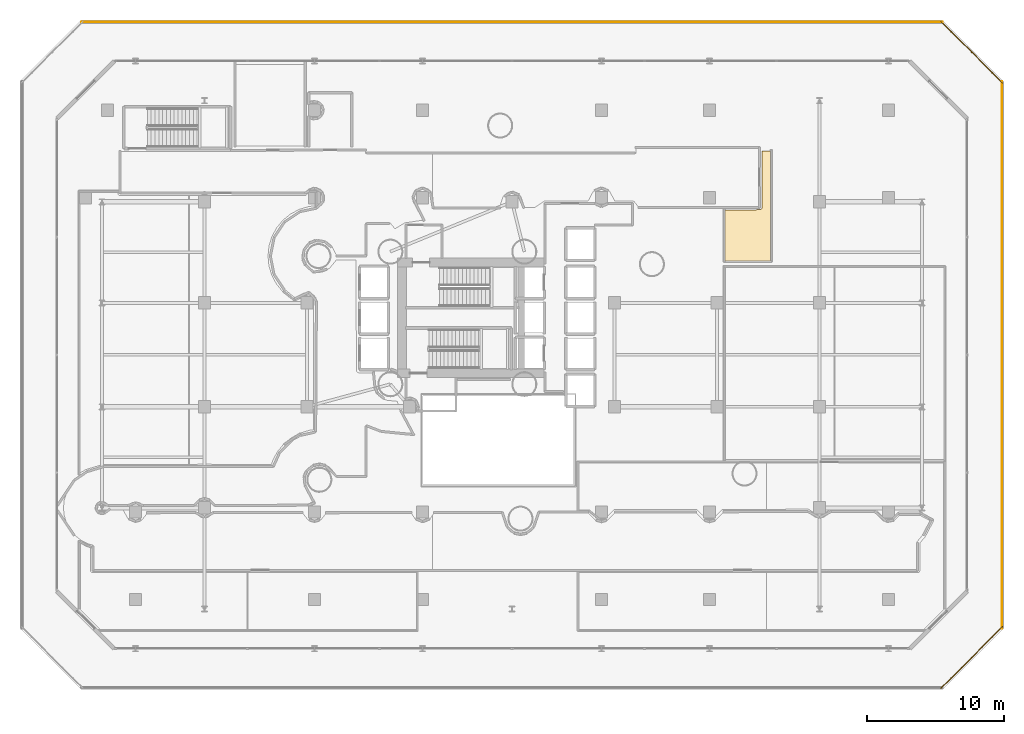
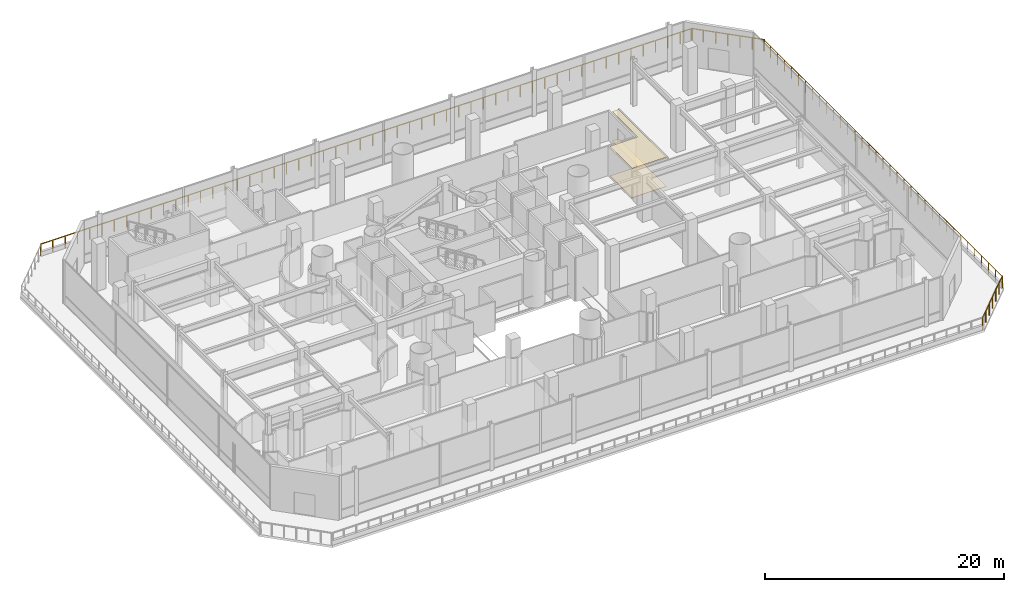
# One storey, part 39 of 39: 4 railings, 2 coverings.
"""IFC4 building model written with IfcOpenShell, lengths in metres."""

from ifc_helpers import new_model, si_unit, direction, frame, origin, origin_2d, place, context, subcontext, project, spatial, polyline, rectangle, outline, extrude, material, layer, layer_set, type_object, element, save


model = new_model("IFC4")

# Units and contexts
model_context = context("Model", 3, precision=1e-05, world=origin(), true_north=direction((0.0, 1.0)))
body_context = subcontext(model_context, "Body", "Model", "MODEL_VIEW")
ifc_project = project(units=[si_unit("LENGTHUNIT", "METRE"), si_unit("AREAUNIT", "SQUARE_METRE"), si_unit("VOLUMEUNIT", "CUBIC_METRE"), si_unit("PLANEANGLEUNIT", "RADIAN"), si_unit("MASSUNIT", "GRAM", prefix="KILO")], contexts=[model_context])

# Site, building, storey
site_placement = place(None, origin())
site = spatial("IfcSite", under=ifc_project, at=site_placement, CompositionType="ELEMENT")
building_placement = place(site_placement, origin())
building = spatial("IfcBuilding", under=site, at=building_placement, Name="Qianvela Tower", CompositionType="ELEMENT")
storey_placement = place(building_placement, frame((0.0, 0.0, 15.800048828125)))
storey = spatial("IfcBuildingStorey", under=building, at=storey_placement, Name="L03", CompositionType="ELEMENT", Elevation=15.800048828125)

# Coverings
ifc_material_1 = material(Name="Perforated Mineral Acoustic Ceiling Tile")
ifc_layer_1 = layer(ifc_material_1, 0.02490234375)
ifc_layer_set_1 = layer_set([ifc_layer_1], Name="Perforated Mineral Acoustic Ceiling Tile")
covering_type_1 = type_object("IfcCoveringType", Name="COV-CEIL-ACOUSTIC-25", PredefinedType="CEILING", material=ifc_layer_set_1)
covering_1_placement = place(storey_placement, frame((0.0, 0.0, 2.994873046875)))
element("IfcCovering", 1, at=covering_1_placement, inside=storey, type_object=covering_type_1, Name="L03 Acoustic Ceiling L03 Graduate Seminar Classroom", PredefinedType="CEILING", context=body_context, shape_type="SweptSolid", body=[
    extrude(outline(polyline([(56.419921875, 32.8798828125), (53.080078125, 32.8798828125), (53.080078125, 36.610107421875), (55.650390625, 36.616455078125), (55.65869140625, 36.616943359375), (55.667236328125, 36.6181640625), (55.67529296875, 36.62060546875), (55.683349609375, 36.62353515625), (55.69091796875, 36.62744140625), (55.697998046875, 36.632080078125), (55.757080078125, 36.67626953125), (55.763427734375, 36.681396484375), (55.769287109375, 36.6875), (55.7744140625, 36.69384765625), (55.77880859375, 36.70068359375), (55.78271484375, 36.708251953125), (55.785400390625, 36.716064453125), (55.78759765625, 36.723876953125), (55.788818359375, 36.732177734375), (55.789306640625, 36.740478515625), (55.7919921875, 40.919921875), (56.419921875, 40.919921875), (56.419921875, 32.8798828125)])), origin(), (0.0, 0.0, 1.0), 0.025146484375),
])
ifc_material_2 = material(Name="Engineered Acoustic Oak Timber Flooring", Category="wood")
ifc_layer_2 = layer(ifc_material_2, 0.02001953125)
ifc_layer_set_2 = layer_set([ifc_layer_2], Name="Engineered Acoustic Oak Timber Flooring")
covering_type_2 = type_object("IfcCoveringType", Name="COV-FLOOR-OAK-20", PredefinedType="FLOORING", material=ifc_layer_set_2)
covering_2_placement = place(storey_placement, origin())
element("IfcCovering", 2, at=covering_2_placement, inside=storey, type_object=covering_type_2, Name="L03 Finish Flooring L03 Graduate Seminar Classroom", PredefinedType="FLOORING", context=body_context, shape_type="SweptSolid", body=[
    extrude(outline(polyline([(56.419921875, 32.8798828125), (53.080078125, 32.8798828125), (53.080078125, 36.610107421875), (55.650390625, 36.616455078125), (55.65869140625, 36.616943359375), (55.667236328125, 36.6181640625), (55.67529296875, 36.62060546875), (55.683349609375, 36.62353515625), (55.69091796875, 36.62744140625), (55.697998046875, 36.632080078125), (55.757080078125, 36.67626953125), (55.763427734375, 36.681396484375), (55.769287109375, 36.6875), (55.7744140625, 36.69384765625), (55.77880859375, 36.70068359375), (55.78271484375, 36.708251953125), (55.785400390625, 36.716064453125), (55.78759765625, 36.723876953125), (55.788818359375, 36.732177734375), (55.789306640625, 36.740478515625), (55.7919921875, 40.919921875), (56.419921875, 40.919921875), (56.419921875, 32.8798828125)])), origin(), (0.0, 0.0, 1.0), 0.02001953125),
])

# Railings
ifc_material_3 = material(Name="Brushed Stainless Steel 316 and Laminated Glass", Category="steel")
railing_type = type_object("IfcRailingType", Name="RL-EXT-GUARD-1200", PredefinedType="GUARDRAIL", material=ifc_material_3)
railing_1_placement = place(storey_placement, frame((68.893798828125, 1.606201171875, 0.0)))
element("IfcRailing", 3, at=railing_1_placement, inside=storey, type_object=railing_type, Name="L03 Podium Terrace Guardrail 2", PredefinedType="GUARDRAIL", context=body_context, shape_type="SweptSolid", body=[
    extrude(rectangle(XDim=0.050048828125, YDim=0.0400390625, at=origin_2d()), frame((0.0, 0.0, 1.179931640625), z_axis=(0.707106781187, 0.707106781187, 0.0), x_axis=(-0.707106781187, 0.707106781187, 0.0)), (0.0, 0.0, 1.0), 6.364013671875),
    extrude(rectangle(XDim=0.050048828125, YDim=0.050048828125, at=origin_2d()), origin(), (0.0, 0.0, 1.0), 1.159912109375),
    extrude(rectangle(XDim=0.050048828125, YDim=0.050048828125, at=origin_2d()), frame((0.75, 0.75, 0.0)), (0.0, 0.0, 1.0), 1.159912109375),
    extrude(rectangle(XDim=0.050048828125, YDim=0.050048828125, at=origin_2d()), frame((1.5, 1.5, 0.0)), (0.0, 0.0, 1.0), 1.159912109375),
    extrude(rectangle(XDim=0.050048828125, YDim=0.050048828125, at=origin_2d()), frame((2.25, 2.25, 0.0)), (0.0, 0.0, 1.0), 1.159912109375),
    extrude(rectangle(XDim=0.050048828125, YDim=0.050048828125, at=origin_2d()), frame((3.0, 3.0, 0.0)), (0.0, 0.0, 1.0), 1.159912109375),
    extrude(rectangle(XDim=0.050048828125, YDim=0.050048828125, at=origin_2d()), frame((3.75, 3.75, 0.0)), (0.0, 0.0, 1.0), 1.159912109375),
    extrude(rectangle(XDim=0.050048828125, YDim=0.050048828125, at=origin_2d()), frame((4.5, 4.5, 0.0)), (0.0, 0.0, 1.0), 1.159912109375),
])
railing_2_placement = place(storey_placement, frame((73.35009765625, 6.0, 0.0)))
element("IfcRailing", 4, at=railing_2_placement, inside=storey, type_object=railing_type, Name="L03 Podium Terrace Guardrail 3", PredefinedType="GUARDRAIL", context=body_context, shape_type="SweptSolid", body=[
    extrude(rectangle(XDim=0.050048828125, YDim=0.0400390625, at=origin_2d()), frame((0.0, 0.0, 1.179931640625), z_axis=(0.0, 1.0, 0.0), x_axis=(-1.0, 0.0, 0.0)), (0.0, 0.0, 1.0), 40.0),
    extrude(rectangle(XDim=0.050048828125, YDim=0.050048828125, at=origin_2d()), origin(), (0.0, 0.0, 1.0), 1.159912109375),
    extrude(rectangle(XDim=0.050048828125, YDim=0.050048828125, at=origin_2d()), frame((0.0, 1.176513671875, 0.0)), (0.0, 0.0, 1.0), 1.159912109375),
    extrude(rectangle(XDim=0.050048828125, YDim=0.050048828125, at=origin_2d()), frame((0.0, 2.35302734375, 0.0)), (0.0, 0.0, 1.0), 1.159912109375),
    extrude(rectangle(XDim=0.050048828125, YDim=0.050048828125, at=origin_2d()), frame((0.0, 3.529296875, 0.0)), (0.0, 0.0, 1.0), 1.159912109375),
    extrude(rectangle(XDim=0.050048828125, YDim=0.050048828125, at=origin_2d()), frame((0.0, 4.705810546875, 0.0)), (0.0, 0.0, 1.0), 1.159912109375),
    extrude(rectangle(XDim=0.050048828125, YDim=0.050048828125, at=origin_2d()), frame((0.0, 5.88232421875, 0.0)), (0.0, 0.0, 1.0), 1.159912109375),
    extrude(rectangle(XDim=0.050048828125, YDim=0.050048828125, at=origin_2d()), frame((0.0, 7.058837890625, 0.0)), (0.0, 0.0, 1.0), 1.159912109375),
    extrude(rectangle(XDim=0.050048828125, YDim=0.050048828125, at=origin_2d()), frame((0.0, 8.2353515625, 0.0)), (0.0, 0.0, 1.0), 1.159912109375),
    extrude(rectangle(XDim=0.050048828125, YDim=0.050048828125, at=origin_2d()), frame((0.0, 9.411865234375, 0.0)), (0.0, 0.0, 1.0), 1.159912109375),
    extrude(rectangle(XDim=0.050048828125, YDim=0.050048828125, at=origin_2d()), frame((0.0, 10.588134765625, 0.0)), (0.0, 0.0, 1.0), 1.159912109375),
    extrude(rectangle(XDim=0.050048828125, YDim=0.050048828125, at=origin_2d()), frame((0.0, 11.7646484375, 0.0)), (0.0, 0.0, 1.0), 1.159912109375),
    extrude(rectangle(XDim=0.050048828125, YDim=0.050048828125, at=origin_2d()), frame((0.0, 12.941162109375, 0.0)), (0.0, 0.0, 1.0), 1.159912109375),
    extrude(rectangle(XDim=0.050048828125, YDim=0.050048828125, at=origin_2d()), frame((0.0, 14.11767578125, 0.0)), (0.0, 0.0, 1.0), 1.159912109375),
    extrude(rectangle(XDim=0.050048828125, YDim=0.050048828125, at=origin_2d()), frame((0.0, 15.294189453125, 0.0)), (0.0, 0.0, 1.0), 1.159912109375),
    extrude(rectangle(XDim=0.050048828125, YDim=0.050048828125, at=origin_2d()), frame((0.0, 16.470703125, 0.0)), (0.0, 0.0, 1.0), 1.159912109375),
    extrude(rectangle(XDim=0.050048828125, YDim=0.050048828125, at=origin_2d()), frame((0.0, 17.64697265625, 0.0)), (0.0, 0.0, 1.0), 1.159912109375),
    extrude(rectangle(XDim=0.050048828125, YDim=0.050048828125, at=origin_2d()), frame((0.0, 18.823486328125, 0.0)), (0.0, 0.0, 1.0), 1.159912109375),
    extrude(rectangle(XDim=0.050048828125, YDim=0.050048828125, at=origin_2d()), frame((0.0, 20.0, 0.0)), (0.0, 0.0, 1.0), 1.159912109375),
    extrude(rectangle(XDim=0.050048828125, YDim=0.050048828125, at=origin_2d()), frame((0.0, 21.176513671875, 0.0)), (0.0, 0.0, 1.0), 1.159912109375),
    extrude(rectangle(XDim=0.050048828125, YDim=0.050048828125, at=origin_2d()), frame((0.0, 22.35302734375, 0.0)), (0.0, 0.0, 1.0), 1.159912109375),
    extrude(rectangle(XDim=0.050048828125, YDim=0.050048828125, at=origin_2d()), frame((0.0, 23.529296875, 0.0)), (0.0, 0.0, 1.0), 1.159912109375),
    extrude(rectangle(XDim=0.050048828125, YDim=0.050048828125, at=origin_2d()), frame((0.0, 24.705810546875, 0.0)), (0.0, 0.0, 1.0), 1.159912109375),
    extrude(rectangle(XDim=0.050048828125, YDim=0.050048828125, at=origin_2d()), frame((0.0, 25.88232421875, 0.0)), (0.0, 0.0, 1.0), 1.159912109375),
    extrude(rectangle(XDim=0.050048828125, YDim=0.050048828125, at=origin_2d()), frame((0.0, 27.058837890625, 0.0)), (0.0, 0.0, 1.0), 1.159912109375),
    extrude(rectangle(XDim=0.050048828125, YDim=0.050048828125, at=origin_2d()), frame((0.0, 28.2353515625, 0.0)), (0.0, 0.0, 1.0), 1.159912109375),
    extrude(rectangle(XDim=0.050048828125, YDim=0.050048828125, at=origin_2d()), frame((0.0, 29.411865234375, 0.0)), (0.0, 0.0, 1.0), 1.159912109375),
    extrude(rectangle(XDim=0.050048828125, YDim=0.050048828125, at=origin_2d()), frame((0.0, 30.588134765625, 0.0)), (0.0, 0.0, 1.0), 1.159912109375),
    extrude(rectangle(XDim=0.050048828125, YDim=0.050048828125, at=origin_2d()), frame((0.0, 31.7646484375, 0.0)), (0.0, 0.0, 1.0), 1.159912109375),
    extrude(rectangle(XDim=0.050048828125, YDim=0.050048828125, at=origin_2d()), frame((0.0, 32.941162109375, 0.0)), (0.0, 0.0, 1.0), 1.159912109375),
    extrude(rectangle(XDim=0.050048828125, YDim=0.050048828125, at=origin_2d()), frame((0.0, 34.11767578125, 0.0)), (0.0, 0.0, 1.0), 1.159912109375),
    extrude(rectangle(XDim=0.050048828125, YDim=0.050048828125, at=origin_2d()), frame((0.0, 35.294189453125, 0.0)), (0.0, 0.0, 1.0), 1.159912109375),
    extrude(rectangle(XDim=0.050048828125, YDim=0.050048828125, at=origin_2d()), frame((0.0, 36.470703125, 0.0)), (0.0, 0.0, 1.0), 1.159912109375),
    extrude(rectangle(XDim=0.050048828125, YDim=0.050048828125, at=origin_2d()), frame((0.0, 37.64697265625, 0.0)), (0.0, 0.0, 1.0), 1.159912109375),
    extrude(rectangle(XDim=0.050048828125, YDim=0.050048828125, at=origin_2d()), frame((0.0, 38.823486328125, 0.0)), (0.0, 0.0, 1.0), 1.159912109375),
    extrude(rectangle(XDim=0.050048828125, YDim=0.050048828125, at=origin_2d()), frame((0.0, 40.0, 0.0)), (0.0, 0.0, 1.0), 1.159912109375),
])
railing_3_placement = place(storey_placement, frame((73.393798828125, 45.893798828125, 0.0)))
element("IfcRailing", 5, at=railing_3_placement, inside=storey, type_object=railing_type, Name="L03 Podium Terrace Guardrail 4", PredefinedType="GUARDRAIL", context=body_context, shape_type="SweptSolid", body=[
    extrude(rectangle(XDim=0.050048828125, YDim=0.0400390625, at=origin_2d()), frame((0.0, 0.0, 1.179931640625), z_axis=(-0.707106781187, 0.707106781187, 0.0), x_axis=(-0.707106781187, -0.707106781187, 0.0)), (0.0, 0.0, 1.0), 6.364013671875),
    extrude(rectangle(XDim=0.050048828125, YDim=0.050048828125, at=origin_2d()), origin(), (0.0, 0.0, 1.0), 1.159912109375),
    extrude(rectangle(XDim=0.050048828125, YDim=0.050048828125, at=origin_2d()), frame((-0.75, 0.75, 0.0)), (0.0, 0.0, 1.0), 1.159912109375),
    extrude(rectangle(XDim=0.050048828125, YDim=0.050048828125, at=origin_2d()), frame((-1.5, 1.5, 0.0)), (0.0, 0.0, 1.0), 1.159912109375),
    extrude(rectangle(XDim=0.050048828125, YDim=0.050048828125, at=origin_2d()), frame((-2.25, 2.25, 0.0)), (0.0, 0.0, 1.0), 1.159912109375),
    extrude(rectangle(XDim=0.050048828125, YDim=0.050048828125, at=origin_2d()), frame((-3.0, 3.0, 0.0)), (0.0, 0.0, 1.0), 1.159912109375),
    extrude(rectangle(XDim=0.050048828125, YDim=0.050048828125, at=origin_2d()), frame((-3.75, 3.75, 0.0)), (0.0, 0.0, 1.0), 1.159912109375),
    extrude(rectangle(XDim=0.050048828125, YDim=0.050048828125, at=origin_2d()), frame((-4.5, 4.5, 0.0)), (0.0, 0.0, 1.0), 1.159912109375),
])
railing_4_placement = place(storey_placement, frame((69.0, 50.35009765625, 0.0)))
element("IfcRailing", 6, at=railing_4_placement, inside=storey, type_object=railing_type, Name="L03 Podium Terrace Guardrail 5", PredefinedType="GUARDRAIL", context=body_context, shape_type="SweptSolid", body=[
    extrude(rectangle(XDim=0.050048828125, YDim=0.0400390625, at=origin_2d()), frame((0.0, 0.0, 1.179931640625), z_axis=(-1.0, 0.0, 0.0), x_axis=(0.0, -1.0, 0.0)), (0.0, 0.0, 1.0), 63.0),
    extrude(rectangle(XDim=0.050048828125, YDim=0.050048828125, at=origin_2d()), origin(), (0.0, 0.0, 1.0), 1.159912109375),
    extrude(rectangle(XDim=0.050048828125, YDim=0.050048828125, at=origin_2d()), frame((-1.188720703125, 0.0, 0.0)), (0.0, 0.0, 1.0), 1.159912109375),
    extrude(rectangle(XDim=0.050048828125, YDim=0.050048828125, at=origin_2d()), frame((-2.37744140625, 0.0, 0.0)), (0.0, 0.0, 1.0), 1.159912109375),
    extrude(rectangle(XDim=0.050048828125, YDim=0.050048828125, at=origin_2d()), frame((-3.56591796875, 0.0, 0.0)), (0.0, 0.0, 1.0), 1.159912109375),
    extrude(rectangle(XDim=0.050048828125, YDim=0.050048828125, at=origin_2d()), frame((-4.754638671875, 0.0, 0.0)), (0.0, 0.0, 1.0), 1.159912109375),
    extrude(rectangle(XDim=0.050048828125, YDim=0.050048828125, at=origin_2d()), frame((-5.943359375, 0.0, 0.0)), (0.0, 0.0, 1.0), 1.159912109375),
    extrude(rectangle(XDim=0.050048828125, YDim=0.050048828125, at=origin_2d()), frame((-7.132080078125, 0.0, 0.0)), (0.0, 0.0, 1.0), 1.159912109375),
    extrude(rectangle(XDim=0.050048828125, YDim=0.050048828125, at=origin_2d()), frame((-8.32080078125, 0.0, 0.0)), (0.0, 0.0, 1.0), 1.159912109375),
    extrude(rectangle(XDim=0.050048828125, YDim=0.050048828125, at=origin_2d()), frame((-9.509521484375, 0.0, 0.0)), (0.0, 0.0, 1.0), 1.159912109375),
    extrude(rectangle(XDim=0.050048828125, YDim=0.050048828125, at=origin_2d()), frame((-10.697998046875, 0.0, 0.0)), (0.0, 0.0, 1.0), 1.159912109375),
    extrude(rectangle(XDim=0.050048828125, YDim=0.050048828125, at=origin_2d()), frame((-11.88671875, 0.0, 0.0)), (0.0, 0.0, 1.0), 1.159912109375),
    extrude(rectangle(XDim=0.050048828125, YDim=0.050048828125, at=origin_2d()), frame((-13.075439453125, 0.0, 0.0)), (0.0, 0.0, 1.0), 1.159912109375),
    extrude(rectangle(XDim=0.050048828125, YDim=0.050048828125, at=origin_2d()), frame((-14.26416015625, 0.0, 0.0)), (0.0, 0.0, 1.0), 1.159912109375),
    extrude(rectangle(XDim=0.050048828125, YDim=0.050048828125, at=origin_2d()), frame((-15.452880859375, 0.0, 0.0)), (0.0, 0.0, 1.0), 1.159912109375),
    extrude(rectangle(XDim=0.050048828125, YDim=0.050048828125, at=origin_2d()), frame((-16.6416015625, 0.0, 0.0)), (0.0, 0.0, 1.0), 1.159912109375),
    extrude(rectangle(XDim=0.050048828125, YDim=0.050048828125, at=origin_2d()), frame((-17.830078125, 0.0, 0.0)), (0.0, 0.0, 1.0), 1.159912109375),
    extrude(rectangle(XDim=0.050048828125, YDim=0.050048828125, at=origin_2d()), frame((-19.018798828125, 0.0, 0.0)), (0.0, 0.0, 1.0), 1.159912109375),
    extrude(rectangle(XDim=0.050048828125, YDim=0.050048828125, at=origin_2d()), frame((-20.20751953125, 0.0, 0.0)), (0.0, 0.0, 1.0), 1.159912109375),
    extrude(rectangle(XDim=0.050048828125, YDim=0.050048828125, at=origin_2d()), frame((-21.396240234375, 0.0, 0.0)), (0.0, 0.0, 1.0), 1.159912109375),
    extrude(rectangle(XDim=0.050048828125, YDim=0.050048828125, at=origin_2d()), frame((-22.5849609375, 0.0, 0.0)), (0.0, 0.0, 1.0), 1.159912109375),
    extrude(rectangle(XDim=0.050048828125, YDim=0.050048828125, at=origin_2d()), frame((-23.773681640625, 0.0, 0.0)), (0.0, 0.0, 1.0), 1.159912109375),
    extrude(rectangle(XDim=0.050048828125, YDim=0.050048828125, at=origin_2d()), frame((-24.962158203125, 0.0, 0.0)), (0.0, 0.0, 1.0), 1.159912109375),
    extrude(rectangle(XDim=0.050048828125, YDim=0.050048828125, at=origin_2d()), frame((-26.15087890625, 0.0, 0.0)), (0.0, 0.0, 1.0), 1.159912109375),
    extrude(rectangle(XDim=0.050048828125, YDim=0.050048828125, at=origin_2d()), frame((-27.339599609375, 0.0, 0.0)), (0.0, 0.0, 1.0), 1.159912109375),
    extrude(rectangle(XDim=0.050048828125, YDim=0.050048828125, at=origin_2d()), frame((-28.5283203125, 0.0, 0.0)), (0.0, 0.0, 1.0), 1.159912109375),
    extrude(rectangle(XDim=0.050048828125, YDim=0.050048828125, at=origin_2d()), frame((-29.717041015625, 0.0, 0.0)), (0.0, 0.0, 1.0), 1.159912109375),
    extrude(rectangle(XDim=0.050048828125, YDim=0.050048828125, at=origin_2d()), frame((-30.90576171875, 0.0, 0.0)), (0.0, 0.0, 1.0), 1.159912109375),
    extrude(rectangle(XDim=0.050048828125, YDim=0.050048828125, at=origin_2d()), frame((-32.09423828125, 0.0, 0.0)), (0.0, 0.0, 1.0), 1.159912109375),
    extrude(rectangle(XDim=0.050048828125, YDim=0.050048828125, at=origin_2d()), frame((-33.282958984375, 0.0, 0.0)), (0.0, 0.0, 1.0), 1.159912109375),
    extrude(rectangle(XDim=0.050048828125, YDim=0.050048828125, at=origin_2d()), frame((-34.4716796875, 0.0, 0.0)), (0.0, 0.0, 1.0), 1.159912109375),
    extrude(rectangle(XDim=0.050048828125, YDim=0.050048828125, at=origin_2d()), frame((-35.660400390625, 0.0, 0.0)), (0.0, 0.0, 1.0), 1.159912109375),
    extrude(rectangle(XDim=0.050048828125, YDim=0.050048828125, at=origin_2d()), frame((-36.84912109375, 0.0, 0.0)), (0.0, 0.0, 1.0), 1.159912109375),
    extrude(rectangle(XDim=0.050048828125, YDim=0.050048828125, at=origin_2d()), frame((-38.037841796875, 0.0, 0.0)), (0.0, 0.0, 1.0), 1.159912109375),
    extrude(rectangle(XDim=0.050048828125, YDim=0.050048828125, at=origin_2d()), frame((-39.226318359375, 0.0, 0.0)), (0.0, 0.0, 1.0), 1.159912109375),
    extrude(rectangle(XDim=0.050048828125, YDim=0.050048828125, at=origin_2d()), frame((-40.4150390625, 0.0, 0.0)), (0.0, 0.0, 1.0), 1.159912109375),
    extrude(rectangle(XDim=0.050048828125, YDim=0.050048828125, at=origin_2d()), frame((-41.603759765625, 0.0, 0.0)), (0.0, 0.0, 1.0), 1.159912109375),
    extrude(rectangle(XDim=0.050048828125, YDim=0.050048828125, at=origin_2d()), frame((-42.79248046875, 0.0, 0.0)), (0.0, 0.0, 1.0), 1.159912109375),
    extrude(rectangle(XDim=0.050048828125, YDim=0.050048828125, at=origin_2d()), frame((-43.981201171875, 0.0, 0.0)), (0.0, 0.0, 1.0), 1.159912109375),
    extrude(rectangle(XDim=0.050048828125, YDim=0.050048828125, at=origin_2d()), frame((-45.169921875, 0.0, 0.0)), (0.0, 0.0, 1.0), 1.159912109375),
    extrude(rectangle(XDim=0.050048828125, YDim=0.050048828125, at=origin_2d()), frame((-46.3583984375, 0.0, 0.0)), (0.0, 0.0, 1.0), 1.159912109375),
    extrude(rectangle(XDim=0.050048828125, YDim=0.050048828125, at=origin_2d()), frame((-47.547119140625, 0.0, 0.0)), (0.0, 0.0, 1.0), 1.159912109375),
    extrude(rectangle(XDim=0.050048828125, YDim=0.050048828125, at=origin_2d()), frame((-48.73583984375, 0.0, 0.0)), (0.0, 0.0, 1.0), 1.159912109375),
    extrude(rectangle(XDim=0.050048828125, YDim=0.050048828125, at=origin_2d()), frame((-49.924560546875, 0.0, 0.0)), (0.0, 0.0, 1.0), 1.159912109375),
    extrude(rectangle(XDim=0.050048828125, YDim=0.050048828125, at=origin_2d()), frame((-51.11328125, 0.0, 0.0)), (0.0, 0.0, 1.0), 1.159912109375),
    extrude(rectangle(XDim=0.050048828125, YDim=0.050048828125, at=origin_2d()), frame((-52.302001953125, 0.0, 0.0)), (0.0, 0.0, 1.0), 1.159912109375),
    extrude(rectangle(XDim=0.050048828125, YDim=0.050048828125, at=origin_2d()), frame((-53.490478515625, 0.0, 0.0)), (0.0, 0.0, 1.0), 1.159912109375),
    extrude(rectangle(XDim=0.050048828125, YDim=0.050048828125, at=origin_2d()), frame((-54.67919921875, 0.0, 0.0)), (0.0, 0.0, 1.0), 1.159912109375),
    extrude(rectangle(XDim=0.050048828125, YDim=0.050048828125, at=origin_2d()), frame((-55.867919921875, 0.0, 0.0)), (0.0, 0.0, 1.0), 1.159912109375),
    extrude(rectangle(XDim=0.050048828125, YDim=0.050048828125, at=origin_2d()), frame((-57.056640625, 0.0, 0.0)), (0.0, 0.0, 1.0), 1.159912109375),
    extrude(rectangle(XDim=0.050048828125, YDim=0.050048828125, at=origin_2d()), frame((-58.245361328125, 0.0, 0.0)), (0.0, 0.0, 1.0), 1.159912109375),
    extrude(rectangle(XDim=0.050048828125, YDim=0.050048828125, at=origin_2d()), frame((-59.43408203125, 0.0, 0.0)), (0.0, 0.0, 1.0), 1.159912109375),
    extrude(rectangle(XDim=0.050048828125, YDim=0.050048828125, at=origin_2d()), frame((-60.62255859375, 0.0, 0.0)), (0.0, 0.0, 1.0), 1.159912109375),
    extrude(rectangle(XDim=0.050048828125, YDim=0.050048828125, at=origin_2d()), frame((-61.811279296875, 0.0, 0.0)), (0.0, 0.0, 1.0), 1.159912109375),
    extrude(rectangle(XDim=0.050048828125, YDim=0.050048828125, at=origin_2d()), frame((-63.0, 0.0, 0.0)), (0.0, 0.0, 1.0), 1.159912109375),
])

save(model, "model.ifc")
